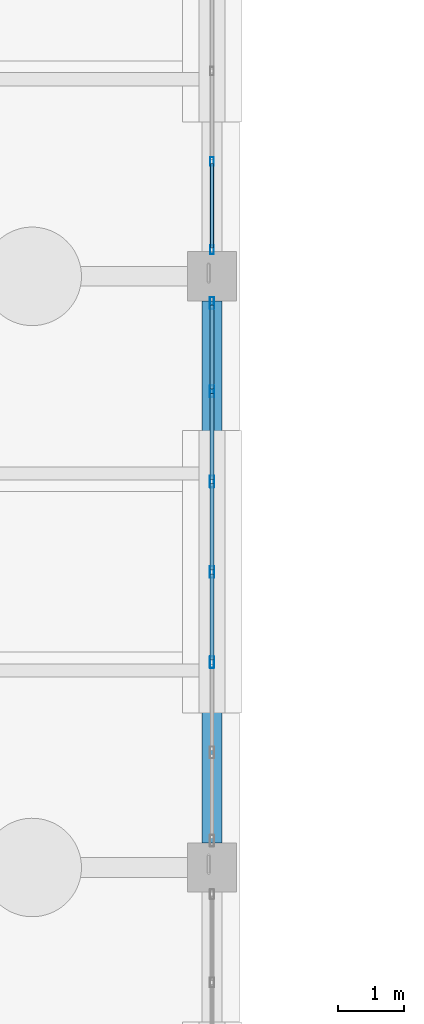
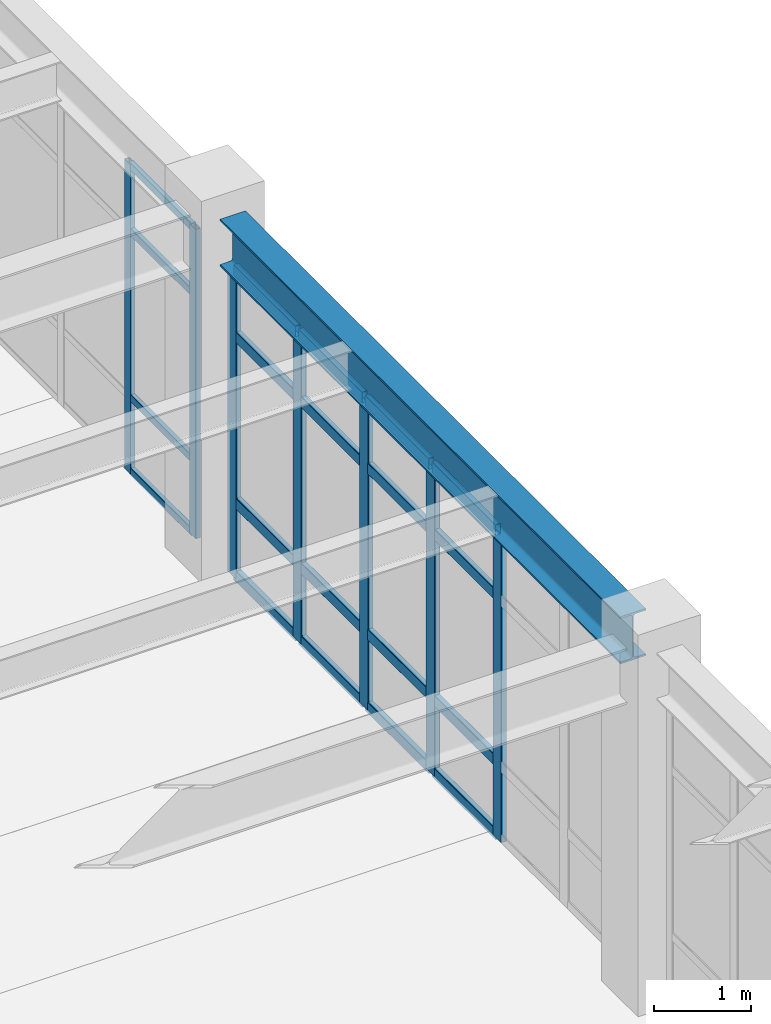
# One storey, part 55 of 139: 27 members, 1 beam, 2 elements without a shape of their own.
"""IFC4 building model written with IfcOpenShell, lengths in metres."""

from ifc_helpers import new_model, si_unit, direction, frame, origin, origin_2d, place, context, subcontext, project, spatial, hollow_rectangle, i_section, extrude, material, material_profile, profile_set, type_object, element, aggregate, save


model = new_model("IFC4")

# Units and contexts
model_context = context("Model", 3, precision=1e-05, world=origin(), true_north=direction((0.0, 1.0)))
body_context = subcontext(model_context, "Body", "Model", "MODEL_VIEW")
ifc_project = project(units=[si_unit("LENGTHUNIT", "METRE"), si_unit("AREAUNIT", "SQUARE_METRE"), si_unit("VOLUMEUNIT", "CUBIC_METRE"), si_unit("PLANEANGLEUNIT", "RADIAN"), si_unit("MASSUNIT", "GRAM", prefix="KILO")], contexts=[model_context])

# Site, building, storey
site_placement = place(None, origin())
site = spatial("IfcSite", under=ifc_project, at=site_placement, CompositionType="ELEMENT")
building_placement = place(site_placement, origin())
building = spatial("IfcBuilding", under=site, at=building_placement, Name="Canglan Escarpment Cableway Terminal", CompositionType="ELEMENT")
storey_placement = place(building_placement, frame((0.0, 0.0, 14.39990234375)))
storey = spatial("IfcBuildingStorey", under=building, at=storey_placement, Name="L03", CompositionType="ELEMENT", Elevation=14.39990234375)

# Beam
ifc_material_1 = material(Name="Steel Q355C", Category="steel")
ifc_material_profile_1 = material_profile(ifc_material_1, i_section(OverallWidth=0.302001953125, OverallDepth=0.593994140625, WebThickness=0.013916015625, FlangeThickness=0.02294921875, FilletRadius=0.028076171875, at=origin_2d()), Name="HM 594x302x14x23")
ifc_profile_set_1 = profile_set([ifc_material_profile_1], Name="Steel Q355C")
beam_type = type_object("IfcBeamType", Name="BM-HM594", PredefinedType="BEAM", material=ifc_profile_set_1)
beam_placement = place(storey_placement, frame((166.39990234375, 52.375, 4.203125), z_axis=(0.0, 1.0, 0.0), x_axis=(-1.0, 0.0, 0.0)))
element("IfcBeam", 1, at=beam_placement, inside=storey, type_object=beam_type, Name="Primary transverse girder B-07", PredefinedType="BEAM", context=body_context, shape_type="SweptSolid", body=[
    extrude(i_section(OverallWidth=0.302001953125, OverallDepth=0.593994140625, WebThickness=0.013916015625, FlangeThickness=0.02294921875, FilletRadius=0.028076171875, at=origin_2d()), origin(), (0.0, 0.0, 1.0), 8.25),
])

# Curtain wall, members
ifc_material_2 = material(Name="Anodized bronze aluminium and Low-E double glazing", Category="aluminium")
curtain_wall_type = type_object("IfcCurtainWallType", Name="CW-BAY-8250x3900", PredefinedType="NOTDEFINED", material=ifc_material_2)
curtain_wall_1_placement = place(storey_placement, origin())
curtain_wall_1 = element("IfcCurtainWall", 2, at=curtain_wall_1_placement, inside=storey, type_object=curtain_wall_type, Name="Classical bay-between-piers glazed curtain wall CW-62", PredefinedType="NOTDEFINED")
ifc_material_3 = material(Name="Thermally broken anodized aluminium 6063-T6", Category="aluminium")
ifc_material_profile_2 = material_profile(ifc_material_3, hollow_rectangle(XDim=0.06005859375, YDim=0.1298828125, WallThickness=0.0029296875, InnerFilletRadius=0.0029296875, OuterFilletRadius=0.006103515625, at=origin_2d()), Name="ALU-MULL 60x130x3")
ifc_profile_set_2 = profile_set([ifc_material_profile_2], Name="Thermally broken anodized aluminium 6063-T6")
member_type_1 = type_object("IfcMemberType", Name="CWM-01", PredefinedType="MULLION", material=ifc_profile_set_2)
member_1_placement = place(storey_placement, frame((166.39990234375, 61.405029296875, 0.0), z_axis=(0.0, 0.0, 1.0), x_axis=(-1.0, 0.0, 0.0)))
member_1 = element("IfcMember", 3, at=member_1_placement, type_object=member_type_1, Name="CW-62 mullion 1", PredefinedType="MULLION", context=body_context, shape_type="SweptSolid", body=[
    extrude(hollow_rectangle(XDim=0.06005859375, YDim=0.1298828125, WallThickness=0.0029296875, InnerFilletRadius=0.0029296875, OuterFilletRadius=0.006103515625, at=origin_2d()), origin(), (0.0, 0.0, 1.0), 3.89111328125),
])
member_2_placement = place(storey_placement, frame((166.39990234375, 62.75, 0.0), z_axis=(0.0, 0.0, 1.0), x_axis=(-1.0, 0.0, 0.0)))
member_2 = element("IfcMember", 4, at=member_2_placement, type_object=member_type_1, Name="CW-62 mullion 2", PredefinedType="MULLION", context=body_context, shape_type="SweptSolid", body=[
    extrude(hollow_rectangle(XDim=0.06005859375, YDim=0.1298828125, WallThickness=0.0029296875, InnerFilletRadius=0.0029296875, OuterFilletRadius=0.006103515625, at=origin_2d()), origin(), (0.0, 0.0, 1.0), 3.89111328125),
])

curtain_wall_2_placement = place(storey_placement, origin())
curtain_wall_2 = element("IfcCurtainWall", 5, at=curtain_wall_2_placement, inside=storey, type_object=curtain_wall_type, Name="Classical bay-between-piers glazed curtain wall CW-62", PredefinedType="NOTDEFINED")
ifc_material_profile_3 = material_profile(ifc_material_3, hollow_rectangle(XDim=0.06494140625, YDim=0.179931640625, WallThickness=0.00390625, InnerFilletRadius=0.00390625, OuterFilletRadius=0.008056640625, at=origin_2d()), Name="ALU-MULL 65x180x4")
ifc_profile_set_3 = profile_set([ifc_material_profile_3], Name="Thermally broken anodized aluminium 6063-T6")
member_type_2 = type_object("IfcMemberType", Name="CWM-03", PredefinedType="MULLION", material=ifc_profile_set_3)
member_3_placement = place(storey_placement, frame((166.39990234375, 55.125, 0.0), z_axis=(0.0, 0.0, 1.0), x_axis=(-1.0, 0.0, 0.0)))
member_3 = element("IfcMember", 6, at=member_3_placement, type_object=member_type_2, Name="CW-62 mullion 3", PredefinedType="MULLION", context=body_context, shape_type="SweptSolid", body=[
    extrude(hollow_rectangle(XDim=0.06494140625, YDim=0.179931640625, WallThickness=0.00390625, InnerFilletRadius=0.00390625, OuterFilletRadius=0.008056640625, at=origin_2d()), origin(), (0.0, 0.0, 1.0), 3.89111328125),
])
member_4_placement = place(storey_placement, frame((166.39990234375, 56.5, 0.0), z_axis=(0.0, 0.0, 1.0), x_axis=(-1.0, 0.0, 0.0)))
member_4 = element("IfcMember", 7, at=member_4_placement, type_object=member_type_2, Name="CW-62 mullion 4", PredefinedType="MULLION", context=body_context, shape_type="SweptSolid", body=[
    extrude(hollow_rectangle(XDim=0.06494140625, YDim=0.179931640625, WallThickness=0.00390625, InnerFilletRadius=0.00390625, OuterFilletRadius=0.008056640625, at=origin_2d()), origin(), (0.0, 0.0, 1.0), 3.89111328125),
])
member_5_placement = place(storey_placement, frame((166.39990234375, 57.875, 0.0), z_axis=(0.0, 0.0, 1.0), x_axis=(-1.0, 0.0, 0.0)))
member_5 = element("IfcMember", 8, at=member_5_placement, type_object=member_type_2, Name="CW-62 mullion 5", PredefinedType="MULLION", context=body_context, shape_type="SweptSolid", body=[
    extrude(hollow_rectangle(XDim=0.06494140625, YDim=0.179931640625, WallThickness=0.00390625, InnerFilletRadius=0.00390625, OuterFilletRadius=0.008056640625, at=origin_2d()), origin(), (0.0, 0.0, 1.0), 3.89111328125),
])
member_6_placement = place(storey_placement, frame((166.39990234375, 59.25, 0.0), z_axis=(0.0, 0.0, 1.0), x_axis=(-1.0, 0.0, 0.0)))
member_6 = element("IfcMember", 9, at=member_6_placement, type_object=member_type_2, Name="CW-62 mullion 6", PredefinedType="MULLION", context=body_context, shape_type="SweptSolid", body=[
    extrude(hollow_rectangle(XDim=0.06494140625, YDim=0.179931640625, WallThickness=0.00390625, InnerFilletRadius=0.00390625, OuterFilletRadius=0.008056640625, at=origin_2d()), origin(), (0.0, 0.0, 1.0), 3.89111328125),
])
member_7_placement = place(storey_placement, frame((166.39990234375, 60.592529296875, 0.0), z_axis=(0.0, 0.0, 1.0), x_axis=(-1.0, 0.0, 0.0)))
member_7 = element("IfcMember", 10, at=member_7_placement, type_object=member_type_2, Name="CW-62 mullion 7", PredefinedType="MULLION", context=body_context, shape_type="SweptSolid", body=[
    extrude(hollow_rectangle(XDim=0.06494140625, YDim=0.179931640625, WallThickness=0.00390625, InnerFilletRadius=0.00390625, OuterFilletRadius=0.008056640625, at=origin_2d()), origin(), (0.0, 0.0, 1.0), 3.89111328125),
])

# Member
ifc_material_profile_4 = material_profile(ifc_material_3, hollow_rectangle(XDim=0.054931640625, YDim=0.094970703125, WallThickness=0.0029296875, InnerFilletRadius=0.0029296875, OuterFilletRadius=0.006103515625, at=origin_2d()), Name="ALU-TRAN 55x95x3")
ifc_profile_set_4 = profile_set([ifc_material_profile_4], Name="Thermally broken anodized aluminium 6063-T6")
member_type_3 = type_object("IfcMemberType", Name="CWT-01", PredefinedType="USERDEFINED", material=ifc_profile_set_4)
member_8_placement = place(storey_placement, frame((166.39990234375, 61.43505859375, 0.027587890625), z_axis=(0.0, 1.0, 0.0), x_axis=(-1.0, 0.0, 0.0)))
member_8 = element("IfcMember", 11, at=member_8_placement, type_object=member_type_3, Name="CW-62 transom 1.1", ObjectType="TRANSOM", PredefinedType="USERDEFINED", context=body_context, shape_type="SweptSolid", body=[
    extrude(hollow_rectangle(XDim=0.054931640625, YDim=0.094970703125, WallThickness=0.0029296875, InnerFilletRadius=0.0029296875, OuterFilletRadius=0.006103515625, at=origin_2d()), origin(), (0.0, 0.0, 1.0), 1.284912109375),
])

member_9_placement = place(storey_placement, frame((166.39990234375, 61.43505859375, 0.9501953125), z_axis=(0.0, 1.0, 0.0), x_axis=(-1.0, 0.0, 0.0)))
member_9 = element("IfcMember", 12, at=member_9_placement, type_object=member_type_3, Name="CW-62 transom 1.2", ObjectType="TRANSOM", PredefinedType="USERDEFINED", context=body_context, shape_type="SweptSolid", body=[
    extrude(hollow_rectangle(XDim=0.054931640625, YDim=0.094970703125, WallThickness=0.0029296875, InnerFilletRadius=0.0029296875, OuterFilletRadius=0.006103515625, at=origin_2d()), origin(), (0.0, 0.0, 1.0), 1.284912109375),
])

member_10_placement = place(storey_placement, frame((166.39990234375, 61.43505859375, 3.041015625), z_axis=(0.0, 1.0, 0.0), x_axis=(-1.0, 0.0, 0.0)))
member_10 = element("IfcMember", 13, at=member_10_placement, type_object=member_type_3, Name="CW-62 transom 1.3", ObjectType="TRANSOM", PredefinedType="USERDEFINED", context=body_context, shape_type="SweptSolid", body=[
    extrude(hollow_rectangle(XDim=0.054931640625, YDim=0.094970703125, WallThickness=0.0029296875, InnerFilletRadius=0.0029296875, OuterFilletRadius=0.006103515625, at=origin_2d()), origin(), (0.0, 0.0, 1.0), 1.284912109375),
])

member_11_placement = place(storey_placement, frame((166.39990234375, 61.43505859375, 3.863525390625), z_axis=(0.0, 1.0, 0.0), x_axis=(-1.0, 0.0, 0.0)))
member_11 = element("IfcMember", 14, at=member_11_placement, type_object=member_type_3, Name="CW-62 transom 1.4", ObjectType="TRANSOM", PredefinedType="USERDEFINED", context=body_context, shape_type="SweptSolid", body=[
    extrude(hollow_rectangle(XDim=0.054931640625, YDim=0.094970703125, WallThickness=0.0029296875, InnerFilletRadius=0.0029296875, OuterFilletRadius=0.006103515625, at=origin_2d()), origin(), (0.0, 0.0, 1.0), 1.284912109375),
])

aggregate(curtain_wall_1, [member_1, member_2, member_8, member_9, member_10, member_11])

ifc_material_profile_5 = material_profile(ifc_material_3, hollow_rectangle(XDim=0.06494140625, YDim=0.139892578125, WallThickness=0.00341796875, InnerFilletRadius=0.00341796875, OuterFilletRadius=0.007080078125, at=origin_2d()), Name="ALU-TRAN 65x140x3.5")
ifc_profile_set_5 = profile_set([ifc_material_profile_5], Name="Thermally broken anodized aluminium 6063-T6")
member_type_4 = type_object("IfcMemberType", Name="CWT-03", PredefinedType="USERDEFINED", material=ifc_profile_set_5)
member_12_placement = place(storey_placement, frame((166.39990234375, 55.157470703125, 0.03271484375), z_axis=(0.0, 1.0, 0.0), x_axis=(-1.0, 0.0, 0.0)))
member_12 = element("IfcMember", 15, at=member_12_placement, type_object=member_type_4, Name="CW-62 transom 3.1", ObjectType="TRANSOM", PredefinedType="USERDEFINED", context=body_context, shape_type="SweptSolid", body=[
    extrude(hollow_rectangle(XDim=0.06494140625, YDim=0.139892578125, WallThickness=0.00341796875, InnerFilletRadius=0.00341796875, OuterFilletRadius=0.007080078125, at=origin_2d()), origin(), (0.0, 0.0, 1.0), 1.31005859375),
])

member_13_placement = place(storey_placement, frame((166.39990234375, 55.157470703125, 0.9501953125), z_axis=(0.0, 1.0, 0.0), x_axis=(-1.0, 0.0, 0.0)))
member_13 = element("IfcMember", 16, at=member_13_placement, type_object=member_type_4, Name="CW-62 transom 3.2", ObjectType="TRANSOM", PredefinedType="USERDEFINED", context=body_context, shape_type="SweptSolid", body=[
    extrude(hollow_rectangle(XDim=0.06494140625, YDim=0.139892578125, WallThickness=0.00341796875, InnerFilletRadius=0.00341796875, OuterFilletRadius=0.007080078125, at=origin_2d()), origin(), (0.0, 0.0, 1.0), 1.31005859375),
])

member_14_placement = place(storey_placement, frame((166.39990234375, 55.157470703125, 3.041015625), z_axis=(0.0, 1.0, 0.0), x_axis=(-1.0, 0.0, 0.0)))
member_14 = element("IfcMember", 17, at=member_14_placement, type_object=member_type_4, Name="CW-62 transom 3.3", ObjectType="TRANSOM", PredefinedType="USERDEFINED", context=body_context, shape_type="SweptSolid", body=[
    extrude(hollow_rectangle(XDim=0.06494140625, YDim=0.139892578125, WallThickness=0.00341796875, InnerFilletRadius=0.00341796875, OuterFilletRadius=0.007080078125, at=origin_2d()), origin(), (0.0, 0.0, 1.0), 1.31005859375),
])

member_15_placement = place(storey_placement, frame((166.39990234375, 55.157470703125, 3.858642578125), z_axis=(0.0, 1.0, 0.0), x_axis=(-1.0, 0.0, 0.0)))
member_15 = element("IfcMember", 18, at=member_15_placement, type_object=member_type_4, Name="CW-62 transom 3.4", ObjectType="TRANSOM", PredefinedType="USERDEFINED", context=body_context, shape_type="SweptSolid", body=[
    extrude(hollow_rectangle(XDim=0.06494140625, YDim=0.139892578125, WallThickness=0.00341796875, InnerFilletRadius=0.00341796875, OuterFilletRadius=0.007080078125, at=origin_2d()), origin(), (0.0, 0.0, 1.0), 1.31005859375),
])

member_16_placement = place(storey_placement, frame((166.39990234375, 56.532470703125, 0.03271484375), z_axis=(0.0, 1.0, 0.0), x_axis=(-1.0, 0.0, 0.0)))
member_16 = element("IfcMember", 19, at=member_16_placement, type_object=member_type_4, Name="CW-62 transom 4.1", ObjectType="TRANSOM", PredefinedType="USERDEFINED", context=body_context, shape_type="SweptSolid", body=[
    extrude(hollow_rectangle(XDim=0.06494140625, YDim=0.139892578125, WallThickness=0.00341796875, InnerFilletRadius=0.00341796875, OuterFilletRadius=0.007080078125, at=origin_2d()), origin(), (0.0, 0.0, 1.0), 1.31005859375),
])

member_17_placement = place(storey_placement, frame((166.39990234375, 56.532470703125, 0.9501953125), z_axis=(0.0, 1.0, 0.0), x_axis=(-1.0, 0.0, 0.0)))
member_17 = element("IfcMember", 20, at=member_17_placement, type_object=member_type_4, Name="CW-62 transom 4.2", ObjectType="TRANSOM", PredefinedType="USERDEFINED", context=body_context, shape_type="SweptSolid", body=[
    extrude(hollow_rectangle(XDim=0.06494140625, YDim=0.139892578125, WallThickness=0.00341796875, InnerFilletRadius=0.00341796875, OuterFilletRadius=0.007080078125, at=origin_2d()), origin(), (0.0, 0.0, 1.0), 1.31005859375),
])

member_18_placement = place(storey_placement, frame((166.39990234375, 56.532470703125, 3.041015625), z_axis=(0.0, 1.0, 0.0), x_axis=(-1.0, 0.0, 0.0)))
member_18 = element("IfcMember", 21, at=member_18_placement, type_object=member_type_4, Name="CW-62 transom 4.3", ObjectType="TRANSOM", PredefinedType="USERDEFINED", context=body_context, shape_type="SweptSolid", body=[
    extrude(hollow_rectangle(XDim=0.06494140625, YDim=0.139892578125, WallThickness=0.00341796875, InnerFilletRadius=0.00341796875, OuterFilletRadius=0.007080078125, at=origin_2d()), origin(), (0.0, 0.0, 1.0), 1.31005859375),
])

member_19_placement = place(storey_placement, frame((166.39990234375, 56.532470703125, 3.858642578125), z_axis=(0.0, 1.0, 0.0), x_axis=(-1.0, 0.0, 0.0)))
member_19 = element("IfcMember", 22, at=member_19_placement, type_object=member_type_4, Name="CW-62 transom 4.4", ObjectType="TRANSOM", PredefinedType="USERDEFINED", context=body_context, shape_type="SweptSolid", body=[
    extrude(hollow_rectangle(XDim=0.06494140625, YDim=0.139892578125, WallThickness=0.00341796875, InnerFilletRadius=0.00341796875, OuterFilletRadius=0.007080078125, at=origin_2d()), origin(), (0.0, 0.0, 1.0), 1.31005859375),
])

member_20_placement = place(storey_placement, frame((166.39990234375, 57.907470703125, 0.03271484375), z_axis=(0.0, 1.0, 0.0), x_axis=(-1.0, 0.0, 0.0)))
member_20 = element("IfcMember", 23, at=member_20_placement, type_object=member_type_4, Name="CW-62 transom 5.1", ObjectType="TRANSOM", PredefinedType="USERDEFINED", context=body_context, shape_type="SweptSolid", body=[
    extrude(hollow_rectangle(XDim=0.06494140625, YDim=0.139892578125, WallThickness=0.00341796875, InnerFilletRadius=0.00341796875, OuterFilletRadius=0.007080078125, at=origin_2d()), origin(), (0.0, 0.0, 1.0), 1.31005859375),
])

member_21_placement = place(storey_placement, frame((166.39990234375, 57.907470703125, 0.9501953125), z_axis=(0.0, 1.0, 0.0), x_axis=(-1.0, 0.0, 0.0)))
member_21 = element("IfcMember", 24, at=member_21_placement, type_object=member_type_4, Name="CW-62 transom 5.2", ObjectType="TRANSOM", PredefinedType="USERDEFINED", context=body_context, shape_type="SweptSolid", body=[
    extrude(hollow_rectangle(XDim=0.06494140625, YDim=0.139892578125, WallThickness=0.00341796875, InnerFilletRadius=0.00341796875, OuterFilletRadius=0.007080078125, at=origin_2d()), origin(), (0.0, 0.0, 1.0), 1.31005859375),
])

member_22_placement = place(storey_placement, frame((166.39990234375, 57.907470703125, 3.041015625), z_axis=(0.0, 1.0, 0.0), x_axis=(-1.0, 0.0, 0.0)))
member_22 = element("IfcMember", 25, at=member_22_placement, type_object=member_type_4, Name="CW-62 transom 5.3", ObjectType="TRANSOM", PredefinedType="USERDEFINED", context=body_context, shape_type="SweptSolid", body=[
    extrude(hollow_rectangle(XDim=0.06494140625, YDim=0.139892578125, WallThickness=0.00341796875, InnerFilletRadius=0.00341796875, OuterFilletRadius=0.007080078125, at=origin_2d()), origin(), (0.0, 0.0, 1.0), 1.31005859375),
])

member_23_placement = place(storey_placement, frame((166.39990234375, 57.907470703125, 3.858642578125), z_axis=(0.0, 1.0, 0.0), x_axis=(-1.0, 0.0, 0.0)))
member_23 = element("IfcMember", 26, at=member_23_placement, type_object=member_type_4, Name="CW-62 transom 5.4", ObjectType="TRANSOM", PredefinedType="USERDEFINED", context=body_context, shape_type="SweptSolid", body=[
    extrude(hollow_rectangle(XDim=0.06494140625, YDim=0.139892578125, WallThickness=0.00341796875, InnerFilletRadius=0.00341796875, OuterFilletRadius=0.007080078125, at=origin_2d()), origin(), (0.0, 0.0, 1.0), 1.31005859375),
])

member_24_placement = place(storey_placement, frame((166.39990234375, 59.282470703125, 0.03271484375), z_axis=(0.0, 1.0, 0.0), x_axis=(-1.0, 0.0, 0.0)))
member_24 = element("IfcMember", 27, at=member_24_placement, type_object=member_type_4, Name="CW-62 transom 6.1", ObjectType="TRANSOM", PredefinedType="USERDEFINED", context=body_context, shape_type="SweptSolid", body=[
    extrude(hollow_rectangle(XDim=0.06494140625, YDim=0.139892578125, WallThickness=0.00341796875, InnerFilletRadius=0.00341796875, OuterFilletRadius=0.007080078125, at=origin_2d()), origin(), (0.0, 0.0, 1.0), 1.277587890625),
])

member_25_placement = place(storey_placement, frame((166.39990234375, 59.282470703125, 0.9501953125), z_axis=(0.0, 1.0, 0.0), x_axis=(-1.0, 0.0, 0.0)))
member_25 = element("IfcMember", 28, at=member_25_placement, type_object=member_type_4, Name="CW-62 transom 6.2", ObjectType="TRANSOM", PredefinedType="USERDEFINED", context=body_context, shape_type="SweptSolid", body=[
    extrude(hollow_rectangle(XDim=0.06494140625, YDim=0.139892578125, WallThickness=0.00341796875, InnerFilletRadius=0.00341796875, OuterFilletRadius=0.007080078125, at=origin_2d()), origin(), (0.0, 0.0, 1.0), 1.277587890625),
])

member_26_placement = place(storey_placement, frame((166.39990234375, 59.282470703125, 3.041015625), z_axis=(0.0, 1.0, 0.0), x_axis=(-1.0, 0.0, 0.0)))
member_26 = element("IfcMember", 29, at=member_26_placement, type_object=member_type_4, Name="CW-62 transom 6.3", ObjectType="TRANSOM", PredefinedType="USERDEFINED", context=body_context, shape_type="SweptSolid", body=[
    extrude(hollow_rectangle(XDim=0.06494140625, YDim=0.139892578125, WallThickness=0.00341796875, InnerFilletRadius=0.00341796875, OuterFilletRadius=0.007080078125, at=origin_2d()), origin(), (0.0, 0.0, 1.0), 1.277587890625),
])

member_27_placement = place(storey_placement, frame((166.39990234375, 59.282470703125, 3.858642578125), z_axis=(0.0, 1.0, 0.0), x_axis=(-1.0, 0.0, 0.0)))
member_27 = element("IfcMember", 30, at=member_27_placement, type_object=member_type_4, Name="CW-62 transom 6.4", ObjectType="TRANSOM", PredefinedType="USERDEFINED", context=body_context, shape_type="SweptSolid", body=[
    extrude(hollow_rectangle(XDim=0.06494140625, YDim=0.139892578125, WallThickness=0.00341796875, InnerFilletRadius=0.00341796875, OuterFilletRadius=0.007080078125, at=origin_2d()), origin(), (0.0, 0.0, 1.0), 1.277587890625),
])

aggregate(curtain_wall_2, [member_3, member_4, member_5, member_6, member_7, member_12, member_13, member_14, member_15, member_16, member_17, member_18, member_19, member_20, member_21, member_22, member_23, member_24, member_25, member_26, member_27])

save(model, "model.ifc")
